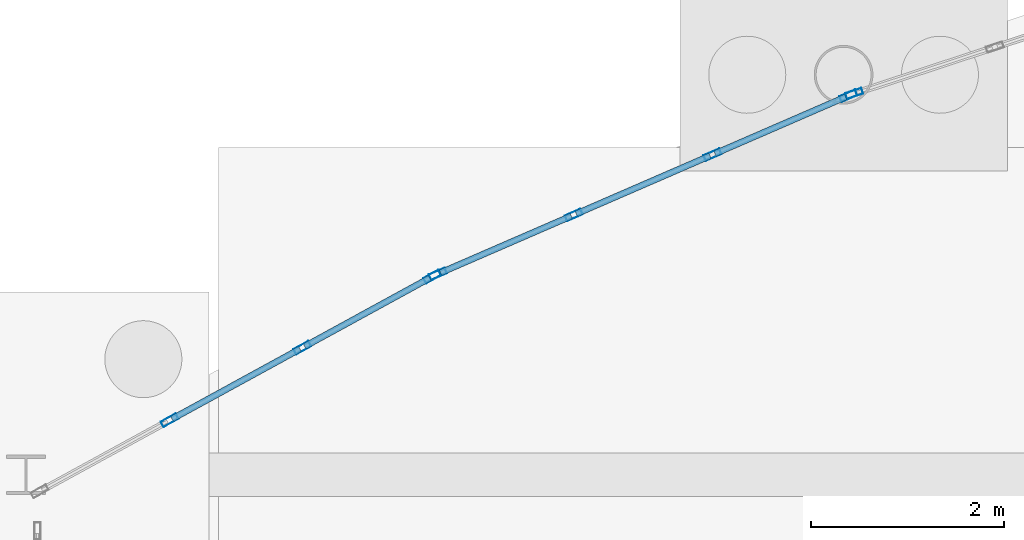
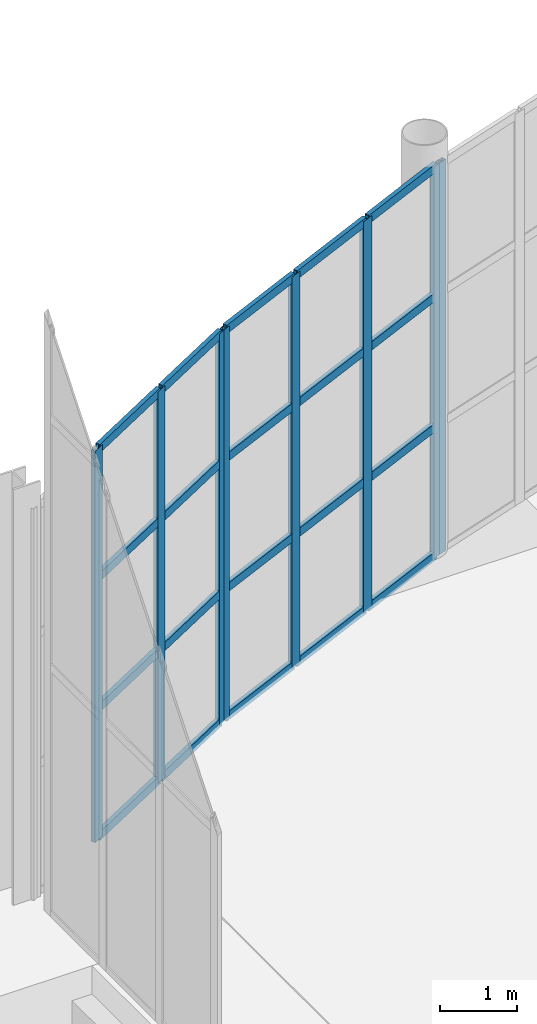
# One storey, part 58 of 115: 28 members, 3 elements without a shape of their own.
"""IFC4 building model written with IfcOpenShell, lengths in metres."""

from ifc_helpers import new_model, si_unit, direction, frame, origin, origin_2d, place, context, subcontext, project, spatial, hollow_rectangle, extrude, material, layer, layer_set, material_profile, profile_set, type_object, element, aggregate, save


model = new_model("IFC4")

# Units and contexts
model_context = context("Model", 3, precision=1e-05, world=origin(), true_north=direction((0.0, 1.0)))
body_context = subcontext(model_context, "Body", "Model", "MODEL_VIEW")
ifc_project = project(units=[si_unit("LENGTHUNIT", "METRE"), si_unit("AREAUNIT", "SQUARE_METRE"), si_unit("VOLUMEUNIT", "CUBIC_METRE"), si_unit("PLANEANGLEUNIT", "RADIAN"), si_unit("MASSUNIT", "GRAM", prefix="KILO")], contexts=[model_context])

# Site, building, storey
site_placement = place(None, origin())
site = spatial("IfcSite", under=ifc_project, at=site_placement, CompositionType="ELEMENT")
building_placement = place(site_placement, origin())
building = spatial("IfcBuilding", under=site, at=building_placement, Name="Tamarisk Ironworks Central Station", CompositionType="ELEMENT")
storey_placement = place(building_placement, origin())
storey = spatial("IfcBuildingStorey", under=building, at=storey_placement, Name="L00", CompositionType="ELEMENT", Elevation=0.0)

# Curtain wall, members
ifc_material = material(Name="Anodized aluminium alloy 6063-T6", Category="aluminium")
ifc_layer = layer(ifc_material, 0.179931640625)
ifc_layer_set = layer_set([ifc_layer], Name="Anodized aluminium alloy 6063-T6")
curtain_wall_type = type_object("IfcCurtainWallType", Name="CW-01", PredefinedType="USERDEFINED", material=ifc_layer_set)
curtain_wall_1_placement = place(storey_placement, origin())
curtain_wall_1 = element("IfcCurtainWall", 1, at=curtain_wall_1_placement, inside=storey, type_object=curtain_wall_type, Name="NN rounded entrance hall L00 curtain wall bay 01", ObjectType="GLAZED CURTAIN WALL", PredefinedType="USERDEFINED")
ifc_material_profile_1 = material_profile(ifc_material, hollow_rectangle(XDim=0.06494140625, YDim=0.179931640625, WallThickness=0.00390625, at=origin_2d()), Name="ALUM 180x65")
ifc_profile_set_1 = profile_set([ifc_material_profile_1], Name="Anodized aluminium alloy 6063-T6")
member_type_1 = type_object("IfcMemberType", Name="CWM-02", PredefinedType="MULLION", material=ifc_profile_set_1)
member_1_placement = place(storey_placement, frame((55.4931640625, 112.166015625, 0.0), z_axis=(0.0, 0.0, 1.0), x_axis=(-0.47980544644, 0.877374910495, 0.0)))
member_1 = element("IfcMember", 2, at=member_1_placement, type_object=member_type_1, Name="CW01 mullion 2", PredefinedType="MULLION", context=body_context, shape_type="SweptSolid", body=[
    extrude(hollow_rectangle(XDim=0.06494140625, YDim=0.179931640625, WallThickness=0.00390625, at=origin_2d()), origin(), (0.0, 0.0, 1.0), 6.219970703125),
])
member_2_placement = place(storey_placement, frame((56.870361328125, 112.91943359375, 0.0), z_axis=(0.0, 0.0, 1.0), x_axis=(-0.47980544644, 0.877374910495, 0.0)))
member_2 = element("IfcMember", 3, at=member_2_placement, type_object=member_type_1, Name="CW01 mullion 3", PredefinedType="MULLION", context=body_context, shape_type="SweptSolid", body=[
    extrude(hollow_rectangle(XDim=0.06494140625, YDim=0.179931640625, WallThickness=0.00390625, at=origin_2d()), origin(), (0.0, 0.0, 1.0), 6.219970703125),
])
member_3_placement = place(storey_placement, frame((58.21923828125, 113.656982421875, 0.0), z_axis=(0.0, 0.0, 1.0), x_axis=(-0.47980544644, 0.877374910495, 0.0)))
member_3 = element("IfcMember", 4, at=member_3_placement, type_object=member_type_1, Name="CW01 mullion 4", PredefinedType="MULLION", context=body_context, shape_type="SweptSolid", body=[
    extrude(hollow_rectangle(XDim=0.06494140625, YDim=0.179931640625, WallThickness=0.00390625, at=origin_2d()), origin(), (0.0, 0.0, 1.0), 6.219970703125),
])

curtain_wall_2_placement = place(storey_placement, origin())
curtain_wall_2 = element("IfcCurtainWall", 5, at=curtain_wall_2_placement, inside=storey, type_object=curtain_wall_type, Name="NN rounded entrance hall L00 curtain wall bay 02", ObjectType="GLAZED CURTAIN WALL", PredefinedType="USERDEFINED")
member_4_placement = place(storey_placement, frame((58.277587890625, 113.685546875, 0.0), z_axis=(0.0, 0.0, 1.0), x_axis=(-0.398076935564, 0.917352033503, 0.0)))
member_4 = element("IfcMember", 6, at=member_4_placement, type_object=member_type_1, Name="CW01 mullion 1", PredefinedType="MULLION", context=body_context, shape_type="SweptSolid", body=[
    extrude(hollow_rectangle(XDim=0.06494140625, YDim=0.179931640625, WallThickness=0.00390625, at=origin_2d()), origin(), (0.0, 0.0, 1.0), 6.219970703125),
])
member_5_placement = place(storey_placement, frame((59.68798828125, 114.297607421875, 0.0), z_axis=(0.0, 0.0, 1.0), x_axis=(-0.398076935564, 0.917352033503, 0.0)))
member_5 = element("IfcMember", 7, at=member_5_placement, type_object=member_type_1, Name="CW01 mullion 2", PredefinedType="MULLION", context=body_context, shape_type="SweptSolid", body=[
    extrude(hollow_rectangle(XDim=0.06494140625, YDim=0.179931640625, WallThickness=0.00390625, at=origin_2d()), origin(), (0.0, 0.0, 1.0), 6.219970703125),
])
member_6_placement = place(storey_placement, frame((61.128173828125, 114.92236328125, 0.0), z_axis=(0.0, 0.0, 1.0), x_axis=(-0.398076935564, 0.917352033503, 0.0)))
member_6 = element("IfcMember", 8, at=member_6_placement, type_object=member_type_1, Name="CW01 mullion 3", PredefinedType="MULLION", context=body_context, shape_type="SweptSolid", body=[
    extrude(hollow_rectangle(XDim=0.06494140625, YDim=0.179931640625, WallThickness=0.00390625, at=origin_2d()), origin(), (0.0, 0.0, 1.0), 6.219970703125),
])
member_7_placement = place(storey_placement, frame((62.538330078125, 115.534423828125, 0.0), z_axis=(0.0, 0.0, 1.0), x_axis=(-0.398076935564, 0.917352033503, 0.0)))
member_7 = element("IfcMember", 9, at=member_7_placement, type_object=member_type_1, Name="CW01 mullion 4", PredefinedType="MULLION", context=body_context, shape_type="SweptSolid", body=[
    extrude(hollow_rectangle(XDim=0.06494140625, YDim=0.179931640625, WallThickness=0.00390625, at=origin_2d()), origin(), (0.0, 0.0, 1.0), 6.219970703125),
])

# Curtain wall, member
curtain_wall_3_placement = place(storey_placement, origin())
curtain_wall_3 = element("IfcCurtainWall", 10, at=curtain_wall_3_placement, inside=storey, type_object=curtain_wall_type, Name="NN rounded entrance hall L00 curtain wall bay 03", ObjectType="GLAZED CURTAIN WALL", PredefinedType="USERDEFINED")
member_8_placement = place(storey_placement, frame((62.59912109375, 115.5576171875, 0.0), z_axis=(0.0, 0.0, 1.0), x_axis=(-0.313098460171, 0.949720671692, 0.0)))
member_8 = element("IfcMember", 11, at=member_8_placement, type_object=member_type_1, Name="CW01 mullion 1", PredefinedType="MULLION", context=body_context, shape_type="SweptSolid", body=[
    extrude(hollow_rectangle(XDim=0.06494140625, YDim=0.179931640625, WallThickness=0.00390625, at=origin_2d()), origin(), (0.0, 0.0, 1.0), 6.219970703125),
])
aggregate(curtain_wall_3, [member_8])

# Member
ifc_material_profile_2 = material_profile(ifc_material, hollow_rectangle(XDim=0.06494140625, YDim=0.135009765625, WallThickness=0.00341796875, at=origin_2d()), Name="ALUM 135x65")
ifc_profile_set_2 = profile_set([ifc_material_profile_2], Name="Anodized aluminium alloy 6063-T6")
member_type_2 = type_object("IfcMemberType", Name="CWT-02", PredefinedType="USERDEFINED", material=ifc_profile_set_2)
member_9_placement = place(storey_placement, frame((55.51806640625, 112.1796875, 0.032470703125), z_axis=(0.877327618727, 0.479891914308, 0.0), x_axis=(-0.479891914308, 0.877327618727, 0.0)))
member_9 = element("IfcMember", 12, at=member_9_placement, type_object=member_type_2, Name="CW01 transom 2.1", ObjectType="TRANSOM", PredefinedType="USERDEFINED", context=body_context, shape_type="SweptSolid", body=[
    extrude(hollow_rectangle(XDim=0.06494140625, YDim=0.135009765625, WallThickness=0.00341796875, at=origin_2d()), origin(), (0.0, 0.0, 1.0), 1.512939453125),
])

member_10_placement = place(storey_placement, frame((55.51806640625, 112.1796875, 2.0732421875), z_axis=(0.877327618727, 0.479891914308, 0.0), x_axis=(-0.479891914308, 0.877327618727, 0.0)))
member_10 = element("IfcMember", 13, at=member_10_placement, type_object=member_type_2, Name="CW01 transom 2.2", ObjectType="TRANSOM", PredefinedType="USERDEFINED", context=body_context, shape_type="SweptSolid", body=[
    extrude(hollow_rectangle(XDim=0.06494140625, YDim=0.135009765625, WallThickness=0.00341796875, at=origin_2d()), origin(), (0.0, 0.0, 1.0), 1.512939453125),
])

member_11_placement = place(storey_placement, frame((55.51806640625, 112.1796875, 4.146728515625), z_axis=(0.877327618727, 0.479891914308, 0.0), x_axis=(-0.479891914308, 0.877327618727, 0.0)))
member_11 = element("IfcMember", 14, at=member_11_placement, type_object=member_type_2, Name="CW01 transom 2.3", ObjectType="TRANSOM", PredefinedType="USERDEFINED", context=body_context, shape_type="SweptSolid", body=[
    extrude(hollow_rectangle(XDim=0.06494140625, YDim=0.135009765625, WallThickness=0.00341796875, at=origin_2d()), origin(), (0.0, 0.0, 1.0), 1.512939453125),
])

member_12_placement = place(storey_placement, frame((55.51806640625, 112.1796875, 6.1875), z_axis=(0.877327618727, 0.479891914308, 0.0), x_axis=(-0.479891914308, 0.877327618727, 0.0)))
member_12 = element("IfcMember", 15, at=member_12_placement, type_object=member_type_2, Name="CW01 transom 2.4", ObjectType="TRANSOM", PredefinedType="USERDEFINED", context=body_context, shape_type="SweptSolid", body=[
    extrude(hollow_rectangle(XDim=0.06494140625, YDim=0.135009765625, WallThickness=0.00341796875, at=origin_2d()), origin(), (0.0, 0.0, 1.0), 1.512939453125),
])

member_13_placement = place(storey_placement, frame((56.8955078125, 112.93310546875, 0.032470703125), z_axis=(0.877397174043, 0.479764732949, 0.0), x_axis=(-0.479764732949, 0.877397174043, 0.0)))
member_13 = element("IfcMember", 16, at=member_13_placement, type_object=member_type_2, Name="CW01 transom 3.1", ObjectType="TRANSOM", PredefinedType="USERDEFINED", context=body_context, shape_type="SweptSolid", body=[
    extrude(hollow_rectangle(XDim=0.06494140625, YDim=0.135009765625, WallThickness=0.00341796875, at=origin_2d()), origin(), (0.0, 0.0, 1.0), 1.480224609375),
])

member_14_placement = place(storey_placement, frame((56.8955078125, 112.93310546875, 2.0732421875), z_axis=(0.877397174043, 0.479764732949, 0.0), x_axis=(-0.479764732949, 0.877397174043, 0.0)))
member_14 = element("IfcMember", 17, at=member_14_placement, type_object=member_type_2, Name="CW01 transom 3.2", ObjectType="TRANSOM", PredefinedType="USERDEFINED", context=body_context, shape_type="SweptSolid", body=[
    extrude(hollow_rectangle(XDim=0.06494140625, YDim=0.135009765625, WallThickness=0.00341796875, at=origin_2d()), origin(), (0.0, 0.0, 1.0), 1.480224609375),
])

member_15_placement = place(storey_placement, frame((56.8955078125, 112.93310546875, 4.146728515625), z_axis=(0.877397174043, 0.479764732949, 0.0), x_axis=(-0.479764732949, 0.877397174043, 0.0)))
member_15 = element("IfcMember", 18, at=member_15_placement, type_object=member_type_2, Name="CW01 transom 3.3", ObjectType="TRANSOM", PredefinedType="USERDEFINED", context=body_context, shape_type="SweptSolid", body=[
    extrude(hollow_rectangle(XDim=0.06494140625, YDim=0.135009765625, WallThickness=0.00341796875, at=origin_2d()), origin(), (0.0, 0.0, 1.0), 1.480224609375),
])

member_16_placement = place(storey_placement, frame((56.8955078125, 112.93310546875, 6.1875), z_axis=(0.877397174043, 0.479764732949, 0.0), x_axis=(-0.479764732949, 0.877397174043, 0.0)))
member_16 = element("IfcMember", 19, at=member_16_placement, type_object=member_type_2, Name="CW01 transom 3.4", ObjectType="TRANSOM", PredefinedType="USERDEFINED", context=body_context, shape_type="SweptSolid", body=[
    extrude(hollow_rectangle(XDim=0.06494140625, YDim=0.135009765625, WallThickness=0.00341796875, at=origin_2d()), origin(), (0.0, 0.0, 1.0), 1.480224609375),
])

aggregate(curtain_wall_1, [member_1, member_2, member_3, member_9, member_10, member_11, member_12, member_13, member_14, member_15, member_16])

member_17_placement = place(storey_placement, frame((58.3037109375, 113.69677734375, 0.032470703125), z_axis=(0.917352964572, 0.398074789947, 0.0), x_axis=(-0.398074789947, 0.917352964572, 0.0)))
member_17 = element("IfcMember", 20, at=member_17_placement, type_object=member_type_2, Name="CW01 transom 1.1", ObjectType="TRANSOM", PredefinedType="USERDEFINED", context=body_context, shape_type="SweptSolid", body=[
    extrude(hollow_rectangle(XDim=0.06494140625, YDim=0.135009765625, WallThickness=0.00341796875, at=origin_2d()), origin(), (0.0, 0.0, 1.0), 1.48046875),
])

member_18_placement = place(storey_placement, frame((58.3037109375, 113.69677734375, 2.0732421875), z_axis=(0.917352964572, 0.398074789947, 0.0), x_axis=(-0.398074789947, 0.917352964572, 0.0)))
member_18 = element("IfcMember", 21, at=member_18_placement, type_object=member_type_2, Name="CW01 transom 1.2", ObjectType="TRANSOM", PredefinedType="USERDEFINED", context=body_context, shape_type="SweptSolid", body=[
    extrude(hollow_rectangle(XDim=0.06494140625, YDim=0.135009765625, WallThickness=0.00341796875, at=origin_2d()), origin(), (0.0, 0.0, 1.0), 1.48046875),
])

member_19_placement = place(storey_placement, frame((58.3037109375, 113.69677734375, 4.146728515625), z_axis=(0.917352964572, 0.398074789947, 0.0), x_axis=(-0.398074789947, 0.917352964572, 0.0)))
member_19 = element("IfcMember", 22, at=member_19_placement, type_object=member_type_2, Name="CW01 transom 1.3", ObjectType="TRANSOM", PredefinedType="USERDEFINED", context=body_context, shape_type="SweptSolid", body=[
    extrude(hollow_rectangle(XDim=0.06494140625, YDim=0.135009765625, WallThickness=0.00341796875, at=origin_2d()), origin(), (0.0, 0.0, 1.0), 1.48046875),
])

member_20_placement = place(storey_placement, frame((58.3037109375, 113.69677734375, 6.1875), z_axis=(0.917352964572, 0.398074789947, 0.0), x_axis=(-0.398074789947, 0.917352964572, 0.0)))
member_20 = element("IfcMember", 23, at=member_20_placement, type_object=member_type_2, Name="CW01 transom 1.4", ObjectType="TRANSOM", PredefinedType="USERDEFINED", context=body_context, shape_type="SweptSolid", body=[
    extrude(hollow_rectangle(XDim=0.06494140625, YDim=0.135009765625, WallThickness=0.00341796875, at=origin_2d()), origin(), (0.0, 0.0, 1.0), 1.48046875),
])

member_21_placement = place(storey_placement, frame((59.714111328125, 114.308837890625, 0.032470703125), z_axis=(0.917323881544, 0.398141804322, 0.0), x_axis=(-0.398141804322, 0.917323881544, 0.0)))
member_21 = element("IfcMember", 24, at=member_21_placement, type_object=member_type_2, Name="CW01 transom 2.1", ObjectType="TRANSOM", PredefinedType="USERDEFINED", context=body_context, shape_type="SweptSolid", body=[
    extrude(hollow_rectangle(XDim=0.06494140625, YDim=0.135009765625, WallThickness=0.00341796875, at=origin_2d()), origin(), (0.0, 0.0, 1.0), 1.5126953125),
])

member_22_placement = place(storey_placement, frame((59.714111328125, 114.308837890625, 2.0732421875), z_axis=(0.917323881544, 0.398141804322, 0.0), x_axis=(-0.398141804322, 0.917323881544, 0.0)))
member_22 = element("IfcMember", 25, at=member_22_placement, type_object=member_type_2, Name="CW01 transom 2.2", ObjectType="TRANSOM", PredefinedType="USERDEFINED", context=body_context, shape_type="SweptSolid", body=[
    extrude(hollow_rectangle(XDim=0.06494140625, YDim=0.135009765625, WallThickness=0.00341796875, at=origin_2d()), origin(), (0.0, 0.0, 1.0), 1.5126953125),
])

member_23_placement = place(storey_placement, frame((59.714111328125, 114.308837890625, 4.146728515625), z_axis=(0.917323881544, 0.398141804322, 0.0), x_axis=(-0.398141804322, 0.917323881544, 0.0)))
member_23 = element("IfcMember", 26, at=member_23_placement, type_object=member_type_2, Name="CW01 transom 2.3", ObjectType="TRANSOM", PredefinedType="USERDEFINED", context=body_context, shape_type="SweptSolid", body=[
    extrude(hollow_rectangle(XDim=0.06494140625, YDim=0.135009765625, WallThickness=0.00341796875, at=origin_2d()), origin(), (0.0, 0.0, 1.0), 1.5126953125),
])

member_24_placement = place(storey_placement, frame((59.714111328125, 114.308837890625, 6.1875), z_axis=(0.917323881544, 0.398141804322, 0.0), x_axis=(-0.398141804322, 0.917323881544, 0.0)))
member_24 = element("IfcMember", 27, at=member_24_placement, type_object=member_type_2, Name="CW01 transom 2.4", ObjectType="TRANSOM", PredefinedType="USERDEFINED", context=body_context, shape_type="SweptSolid", body=[
    extrude(hollow_rectangle(XDim=0.06494140625, YDim=0.135009765625, WallThickness=0.00341796875, at=origin_2d()), origin(), (0.0, 0.0, 1.0), 1.5126953125),
])

member_25_placement = place(storey_placement, frame((61.154296875, 114.933837890625, 0.032470703125), z_axis=(0.917326827597, 0.398135016508, 0.0), x_axis=(-0.398135016508, 0.917326827597, 0.0)))
member_25 = element("IfcMember", 28, at=member_25_placement, type_object=member_type_2, Name="CW01 transom 3.1", ObjectType="TRANSOM", PredefinedType="USERDEFINED", context=body_context, shape_type="SweptSolid", body=[
    extrude(hollow_rectangle(XDim=0.06494140625, YDim=0.135009765625, WallThickness=0.00341796875, at=origin_2d()), origin(), (0.0, 0.0, 1.0), 1.480224609375),
])

member_26_placement = place(storey_placement, frame((61.154296875, 114.933837890625, 2.0732421875), z_axis=(0.917326827597, 0.398135016508, 0.0), x_axis=(-0.398135016508, 0.917326827597, 0.0)))
member_26 = element("IfcMember", 29, at=member_26_placement, type_object=member_type_2, Name="CW01 transom 3.2", ObjectType="TRANSOM", PredefinedType="USERDEFINED", context=body_context, shape_type="SweptSolid", body=[
    extrude(hollow_rectangle(XDim=0.06494140625, YDim=0.135009765625, WallThickness=0.00341796875, at=origin_2d()), origin(), (0.0, 0.0, 1.0), 1.480224609375),
])

member_27_placement = place(storey_placement, frame((61.154296875, 114.933837890625, 4.146728515625), z_axis=(0.917326827597, 0.398135016508, 0.0), x_axis=(-0.398135016508, 0.917326827597, 0.0)))
member_27 = element("IfcMember", 30, at=member_27_placement, type_object=member_type_2, Name="CW01 transom 3.3", ObjectType="TRANSOM", PredefinedType="USERDEFINED", context=body_context, shape_type="SweptSolid", body=[
    extrude(hollow_rectangle(XDim=0.06494140625, YDim=0.135009765625, WallThickness=0.00341796875, at=origin_2d()), origin(), (0.0, 0.0, 1.0), 1.480224609375),
])

member_28_placement = place(storey_placement, frame((61.154296875, 114.933837890625, 6.1875), z_axis=(0.917326827597, 0.398135016508, 0.0), x_axis=(-0.398135016508, 0.917326827597, 0.0)))
member_28 = element("IfcMember", 31, at=member_28_placement, type_object=member_type_2, Name="CW01 transom 3.4", ObjectType="TRANSOM", PredefinedType="USERDEFINED", context=body_context, shape_type="SweptSolid", body=[
    extrude(hollow_rectangle(XDim=0.06494140625, YDim=0.135009765625, WallThickness=0.00341796875, at=origin_2d()), origin(), (0.0, 0.0, 1.0), 1.480224609375),
])

aggregate(curtain_wall_2, [member_4, member_5, member_6, member_7, member_17, member_18, member_19, member_20, member_21, member_22, member_23, member_24, member_25, member_26, member_27, member_28])

save(model, "model.ifc")
